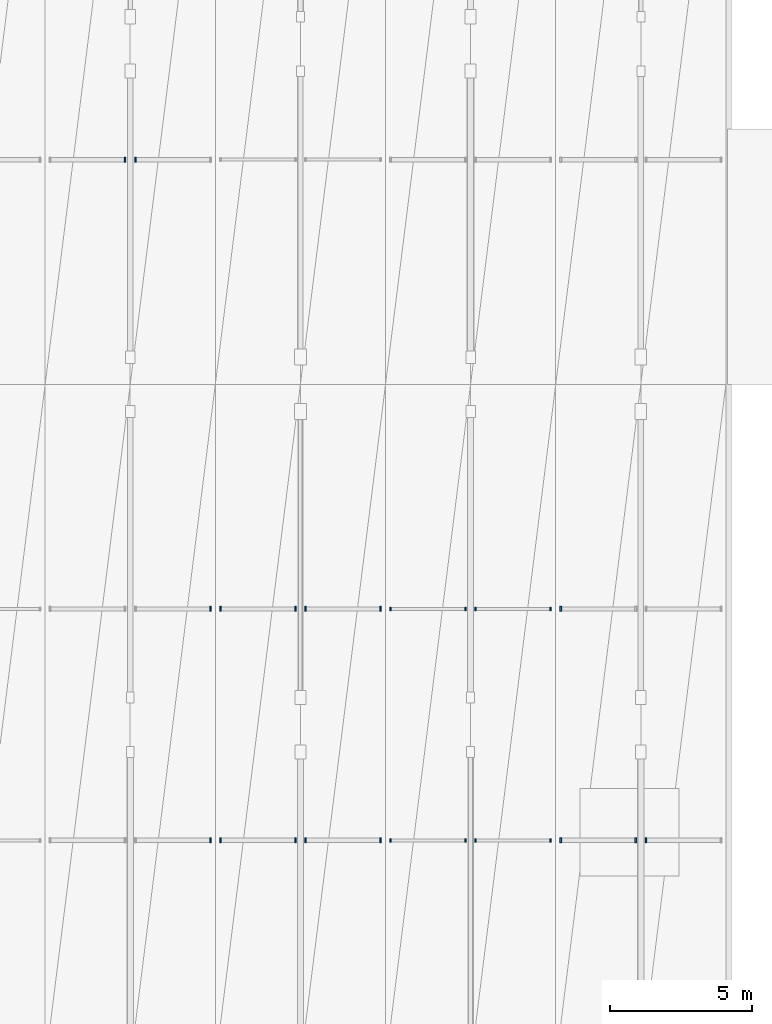
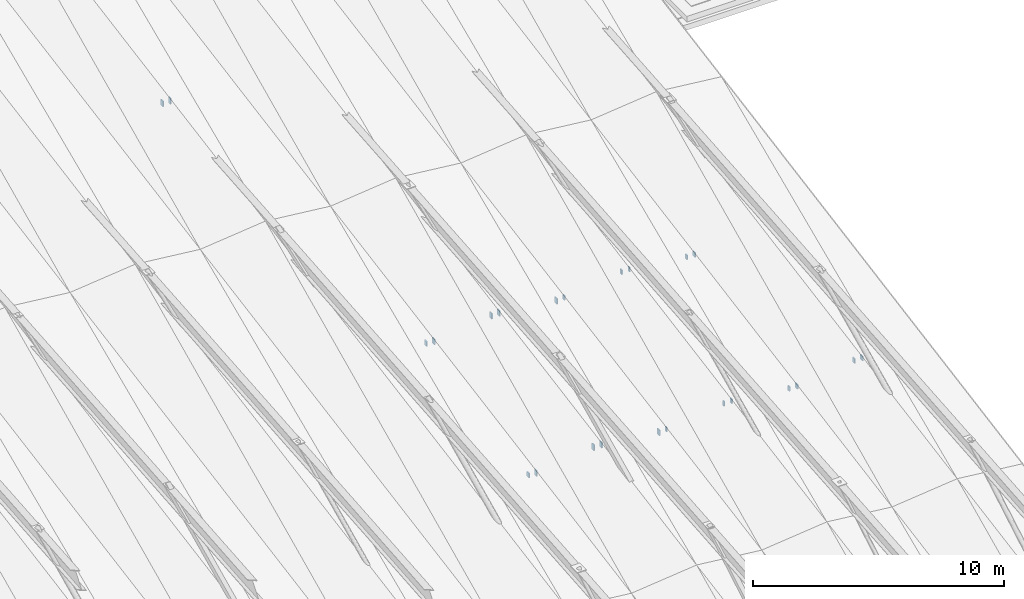
# One storey, part 43 of 52: 24 discrete accessories.
"""IFC4 building model written with IfcOpenShell, lengths in metres."""

from ifc_helpers import new_model, si_unit, direction, frame, origin, origin_2d, place, context, subcontext, project, spatial, rectangle, extrude, material, layer, layer_set, type_object, element, save


model = new_model("IFC4")

# Units and contexts
model_context = context("Model", 3, precision=1e-05, world=origin(), true_north=direction((0.0, 1.0)))
body_context = subcontext(model_context, "Body", "Model", "MODEL_VIEW")
ifc_project = project(units=[si_unit("LENGTHUNIT", "METRE"), si_unit("AREAUNIT", "SQUARE_METRE"), si_unit("VOLUMEUNIT", "CUBIC_METRE"), si_unit("PLANEANGLEUNIT", "RADIAN"), si_unit("MASSUNIT", "GRAM", prefix="KILO")], contexts=[model_context])

# Site, building, storey
site_placement = place(None, origin())
site = spatial("IfcSite", under=ifc_project, at=site_placement, CompositionType="ELEMENT")
building_placement = place(site_placement, origin())
building = spatial("IfcBuilding", under=site, at=building_placement, Name="Vaelkrest Opera House", CompositionType="ELEMENT")
storey_placement = place(building_placement, frame((0.0, 0.0, 41.39990234375)))
storey = spatial("IfcBuildingStorey", under=building, at=storey_placement, Name="ROOF", CompositionType="ELEMENT", Elevation=41.39990234375)

# Discrete accessories
ifc_material = material(Name="Steel A572 Gr50", Category="steel")
ifc_layer = layer(ifc_material, 0.320068359375)
ifc_layer_set = layer_set([ifc_layer], Name="Steel A572 Gr50")
discrete_accessory_type = type_object("IfcDiscreteAccessoryType", Name="ECP01", PredefinedType="USERDEFINED", material=ifc_layer_set)
for number, where, z_axis, x_axis, name in (
    (1, (11.822509765625, -23.8798828125, -10.9833984375), (0.0, 0.0, 1.0), (1.0, 0.0, 0.0), "Purlin HSS end cap plate V1-07-S2-33-E1"),
    (2, (11.822509765625, -15.719970703125, -9.5234375), (0.0, 0.0, 1.0), (1.0, 0.0, 0.0), "Purlin HSS end cap plate V1-07-S2-67-E1"),
):
    element("IfcDiscreteAccessory", number, at=place(storey_placement, frame(where, z_axis=z_axis, x_axis=x_axis)), inside=storey, type_object=discrete_accessory_type, Name=name, ObjectType="CAP PLATE", PredefinedType="USERDEFINED", context=body_context, shape_type="SweptSolid", body=[
        extrude(rectangle(XDim=0.054931640625, YDim=0.176025390625, at=origin_2d()), origin(), (0.0, 0.0, 1.0), 0.218994140625),
    ])
for number, where, z_axis, x_axis, name in (
    (3, (8.822509765625, 0.1201171875, -6.41796875), (0.0, 0.0, 1.0), (1.0, 0.0, 0.0), "Purlin HSS end cap plate V1-07-S3-33-W1"),
    (4, (9.177490234375, 0.1201171875, -6.41796875), (0.0, 0.0, 1.0), (1.0, 0.0, 0.0), "Purlin HSS end cap plate V1-07-S3-33-E0"),
    (5, (12.177490234375, -23.8798828125, -11.033935546875), (0.0, 0.0, 1.0), (1.0, 0.0, 0.0), "Purlin HSS end cap plate V1-08-S2-33-W0"),
    (6, (14.822509765625, -23.8798828125, -10.7099609375), (0.0, 0.0, 1.0), (1.0, 0.0, 0.0), "Purlin HSS end cap plate V1-08-S2-33-W1"),
    (7, (15.177490234375, -23.8798828125, -10.7099609375), (0.0, 0.0, 1.0), (1.0, 0.0, 0.0), "Purlin HSS end cap plate V1-08-S2-33-E0"),
    (8, (17.822509765625, -23.8798828125, -11.033935546875), (0.0, 0.0, 1.0), (1.0, 0.0, 0.0), "Purlin HSS end cap plate V1-08-S2-33-E1"),
    (9, (12.177490234375, -15.719970703125, -9.573974609375), (0.0, 0.0, 1.0), (1.0, 0.0, 0.0), "Purlin HSS end cap plate V1-08-S2-67-W0"),
    (10, (14.822509765625, -15.719970703125, -9.25), (0.0, 0.0, 1.0), (1.0, 0.0, 0.0), "Purlin HSS end cap plate V1-08-S2-67-W1"),
    (11, (15.177490234375, -15.719970703125, -9.25), (0.0, 0.0, 1.0), (1.0, 0.0, 0.0), "Purlin HSS end cap plate V1-08-S2-67-E0"),
    (12, (17.822509765625, -15.719970703125, -9.573974609375), (0.0, 0.0, 1.0), (1.0, 0.0, 0.0), "Purlin HSS end cap plate V1-08-S2-67-E1"),
):
    element("IfcDiscreteAccessory", number, at=place(storey_placement, frame(where, z_axis=z_axis, x_axis=x_axis)), inside=storey, type_object=discrete_accessory_type, Name=name, ObjectType="CAP PLATE", PredefinedType="USERDEFINED", context=body_context, shape_type="SweptSolid", body=[
        extrude(rectangle(XDim=0.054931640625, YDim=0.176025390625, at=origin_2d()), origin(), (0.0, 0.0, 1.0), 0.27001953125),
    ])
for number, where, z_axis, x_axis, name in (
    (13, (18.177490234375, -23.8798828125, -10.9833984375), (0.0, 0.0, 1.0), (1.0, 0.0, 0.0), "Purlin HSS end cap plate V1-09-S2-33-W0"),
    (14, (20.822509765625, -23.8798828125, -10.6591796875), (0.0, 0.0, 1.0), (1.0, 0.0, 0.0), "Purlin HSS end cap plate V1-09-S2-33-W1"),
    (15, (21.177490234375, -23.8798828125, -10.6591796875), (0.0, 0.0, 1.0), (1.0, 0.0, 0.0), "Purlin HSS end cap plate V1-09-S2-33-E0"),
    (16, (23.822509765625, -23.8798828125, -10.9833984375), (0.0, 0.0, 1.0), (1.0, 0.0, 0.0), "Purlin HSS end cap plate V1-09-S2-33-E1"),
    (17, (18.177490234375, -15.719970703125, -9.5234375), (0.0, 0.0, 1.0), (1.0, 0.0, 0.0), "Purlin HSS end cap plate V1-09-S2-67-W0"),
    (18, (20.822509765625, -15.719970703125, -9.19921875), (0.0, 0.0, 1.0), (1.0, 0.0, 0.0), "Purlin HSS end cap plate V1-09-S2-67-W1"),
    (19, (21.177490234375, -15.719970703125, -9.19921875), (0.0, 0.0, 1.0), (1.0, 0.0, 0.0), "Purlin HSS end cap plate V1-09-S2-67-E0"),
    (20, (23.822509765625, -15.719970703125, -9.5234375), (0.0, 0.0, 1.0), (1.0, 0.0, 0.0), "Purlin HSS end cap plate V1-09-S2-67-E1"),
):
    element("IfcDiscreteAccessory", number, at=place(storey_placement, frame(where, z_axis=z_axis, x_axis=x_axis)), inside=storey, type_object=discrete_accessory_type, Name=name, ObjectType="CAP PLATE", PredefinedType="USERDEFINED", context=body_context, shape_type="SweptSolid", body=[
        extrude(rectangle(XDim=0.054931640625, YDim=0.1259765625, at=origin_2d()), origin(), (0.0, 0.0, 1.0), 0.218994140625),
    ])
for number, where, z_axis, x_axis, name in (
    (21, (24.177490234375, -23.8798828125, -10.9833984375), (0.0, 0.0, 1.0), (1.0, 0.0, 0.0), "Purlin HSS end cap plate V1-10-S2-33-W0"),
    (22, (26.822509765625, -23.8798828125, -10.6591796875), (0.0, 0.0, 1.0), (1.0, 0.0, 0.0), "Purlin HSS end cap plate V1-10-S2-33-W1"),
    (23, (27.177490234375, -23.8798828125, -10.6591796875), (0.0, 0.0, 1.0), (1.0, 0.0, 0.0), "Purlin HSS end cap plate V1-10-S2-33-E0"),
    (24, (24.177490234375, -15.719970703125, -9.5234375), (0.0, 0.0, 1.0), (1.0, 0.0, 0.0), "Purlin HSS end cap plate V1-10-S2-67-W0"),
):
    element("IfcDiscreteAccessory", number, at=place(storey_placement, frame(where, z_axis=z_axis, x_axis=x_axis)), inside=storey, type_object=discrete_accessory_type, Name=name, ObjectType="CAP PLATE", PredefinedType="USERDEFINED", context=body_context, shape_type="SweptSolid", body=[
        extrude(rectangle(XDim=0.054931640625, YDim=0.176025390625, at=origin_2d()), origin(), (0.0, 0.0, 1.0), 0.218994140625),
    ])

save(model, "model.ifc")
